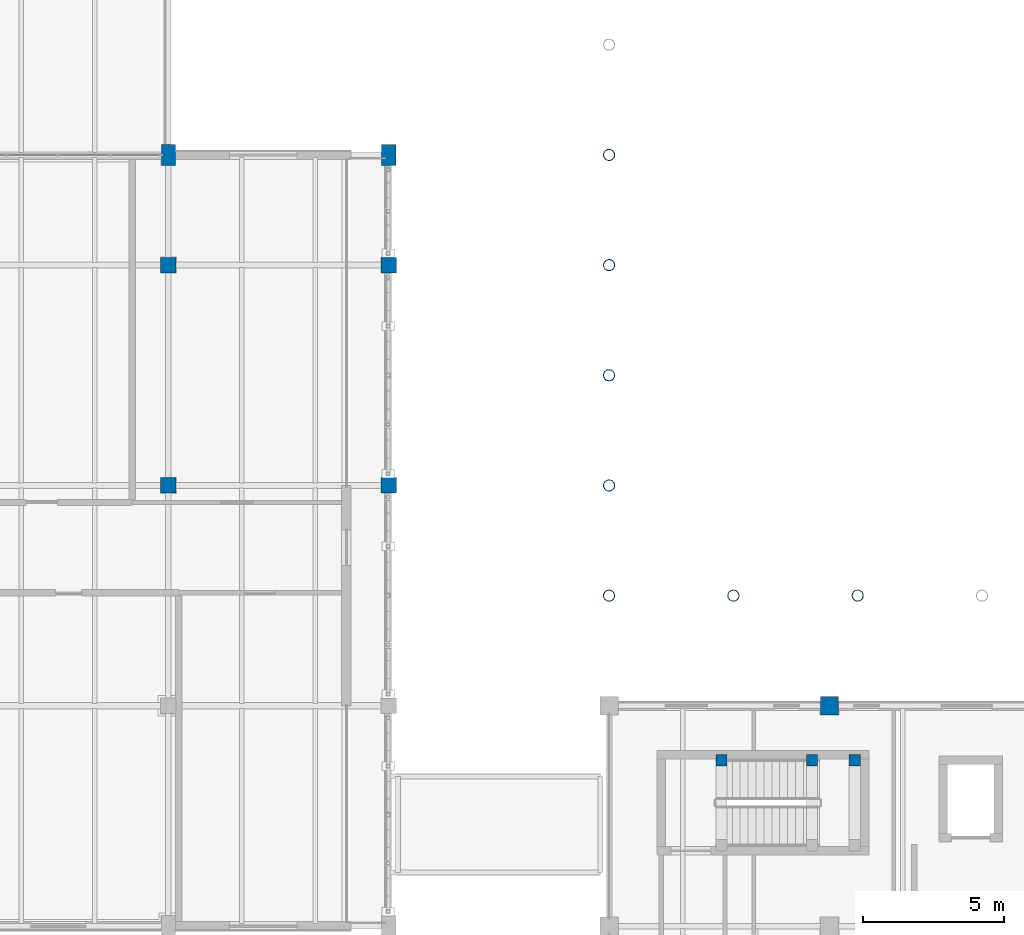
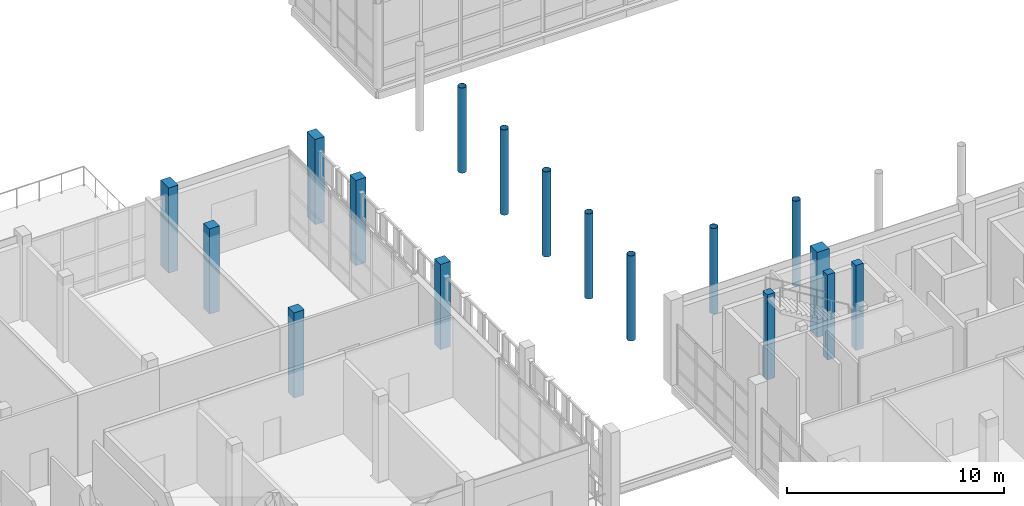
# One storey, part 6 of 138: 17 columns.
"""IFC4 building model written with IfcOpenShell, lengths in metres."""

import ifcopenshell
import ifcopenshell.guid

model = None  # the IFC model being written
_history = None  # IfcOwnerHistory: only IFC2X3 demands one
_inside = {}  # id of a spatial element -> (the spatial element, [elements in it])
_under = {}  # id of a project, library or spatial element -> (it, [spatial elements below it])
_declared = {}  # id of a project -> (the project, [libraries it declares])
_typed = {}  # id of a type object -> (the type object, [elements of that type])
_made_of = {}  # id of a material, layer set ... -> (it, [elements and type objects made of it])


def new_model(schema):
    """Start an empty IFC model of exactly this schema.

    Asked for "IFC4X3", IfcOpenShell would pick the latest addendum, in which some entities
    have other attributes; the version numbers below select the first issue.
    IFC2X3 requires an IfcOwnerHistory on every rooted entity: one is made here for all.
    """
    global model, _history
    if schema == "IFC4X3":
        model = ifcopenshell.file(schema_version=(4, 3, 0, 0))
    else:
        model = ifcopenshell.file(schema=schema)
    _inside.clear()
    _under.clear()
    _declared.clear()
    _typed.clear()
    _made_of.clear()
    _history = None
    if model.schema == "IFC2X3":
        org = make("IfcOrganization", Name="unknown")
        user = make(
            "IfcPersonAndOrganization",
            ThePerson=make("IfcPerson", FamilyName="unknown"),
            TheOrganization=org,
        )
        app = make(
            "IfcApplication",
            ApplicationDeveloper=org,
            Version="unknown",
            ApplicationFullName="unknown",
            ApplicationIdentifier="unknown",
        )
        _history = make(
            "IfcOwnerHistory",
            OwningUser=user,
            OwningApplication=app,
            ChangeAction="ADDED",
            CreationDate=0,
        )
    return model


def make(cls, **values):
    """One entity of the class cls with the attributes given. An attribute that is None is left unset."""
    return model.create_entity(
        cls, **{name: value for name, value in values.items() if value is not None}
    )


def rooted(cls, **values):
    """An entity with a GlobalId (a new one), such as an element, a storey or a relation."""
    return make(cls, GlobalId=ifcopenshell.guid.new(), OwnerHistory=_history, **values)


def si_unit(unit_type, name, prefix=None):
    """IfcSIUnit, for example si_unit("LENGTHUNIT", "METRE", prefix="MILLI")."""
    return make("IfcSIUnit", UnitType=unit_type, Prefix=prefix, Name=name)


def assignment(units):
    """IfcUnitAssignment: the units of a project."""
    return None if units is None else make("IfcUnitAssignment", Units=units)


def point(xyz):
    """IfcCartesianPoint."""
    return None if xyz is None else make("IfcCartesianPoint", Coordinates=xyz)


def direction(xyz):
    """IfcDirection."""
    return None if xyz is None else make("IfcDirection", DirectionRatios=xyz)


def frame(location, z_axis=None, x_axis=None):
    """IfcAxis2Placement3D, a coordinate frame: its origin and axes. An axis left out is left unset."""
    return make(
        "IfcAxis2Placement3D",
        Location=point(location),
        Axis=direction(z_axis),
        RefDirection=direction(x_axis),
    )


def frame_2d(location, x_axis=None):
    """IfcAxis2Placement2D, a coordinate frame in the plane: its origin and x axis."""
    return make(
        "IfcAxis2Placement2D", Location=point(location), RefDirection=direction(x_axis)
    )


def origin():
    """The frame at (0, 0, 0) with its axes left unset."""
    return frame((0.0, 0.0, 0.0))


def origin_2d():
    """The frame at (0, 0) in the plane with its x axis left unset."""
    return frame_2d((0.0, 0.0))


def place(relative_to, where):
    """IfcLocalPlacement: puts the frame where relative to a parent placement (None: the world)."""
    return make(
        "IfcLocalPlacement", PlacementRelTo=relative_to, RelativePlacement=where
    )


def context(
    kind, dimensions, precision=None, world=None, true_north=None, identifier=None
):
    """IfcGeometricRepresentationContext, for example the 3D "Model" context."""
    return make(
        "IfcGeometricRepresentationContext",
        ContextIdentifier=identifier,
        ContextType=kind,
        CoordinateSpaceDimension=dimensions,
        Precision=precision,
        WorldCoordinateSystem=world,
        TrueNorth=true_north,
    )


def subcontext(parent, identifier, kind, view, scale=None):
    """IfcGeometricRepresentationSubContext, for example "Body" below "Model"."""
    return make(
        "IfcGeometricRepresentationSubContext",
        ContextIdentifier=identifier,
        ContextType=kind,
        ParentContext=parent,
        TargetScale=scale,
        TargetView=view,
    )


def project(units=None, contexts=None):
    """IfcProject with its units and contexts."""
    return rooted(
        "IfcProject",
        Name="project",
        RepresentationContexts=contexts,
        UnitsInContext=assignment(units),
    )


def spatial(cls, under=None, at=None, **own):
    """A site, building, storey or space (cls), placed at a placement, below another one or the project."""
    s = rooted(cls, ObjectPlacement=at, **own)
    if under is not None:
        _under.setdefault(under.id(), (under, []))[1].append(s)
    return s


def profile(cls, at=None, kind="AREA", **sizes):
    """A parametric profile (cls). Its sizes go by their IFC names, for example OverallWidth=200.0."""
    return make(cls, ProfileType=kind, Position=at, **sizes)


def rectangle(**sizes):
    """IfcRectangleProfileDef."""
    return profile("IfcRectangleProfileDef", **sizes)


def hollow_circle(**sizes):
    """IfcCircleHollowProfileDef."""
    return profile("IfcCircleHollowProfileDef", **sizes)


def extrude(swept, where, along, depth):
    """IfcExtrudedAreaSolid: the profile swept, set in the frame where, extruded along a direction by depth."""
    return make(
        "IfcExtrudedAreaSolid",
        SweptArea=swept,
        Position=where,
        ExtrudedDirection=direction(along),
        Depth=depth,
    )


def shape(context_of_items, identifier, shape_type, items):
    """IfcShapeRepresentation: the items that make up one representation, for example the "Body"."""
    return make(
        "IfcShapeRepresentation",
        ContextOfItems=context_of_items,
        RepresentationIdentifier=identifier,
        RepresentationType=shape_type,
        Items=items,
    )


def material(Name=None, Category=None):
    """IfcMaterial."""
    return make("IfcMaterial", Name=Name, Category=Category)


def material_profile(
    of_material, cross_section, Name=None, Category=None, Priority=None
):
    """IfcMaterialProfile: a cross section and its material."""
    return make(
        "IfcMaterialProfile",
        Name=Name,
        Material=of_material,
        Profile=cross_section,
        Priority=Priority,
        Category=Category,
    )


def profile_set(profiles, Name=None, composite=None):
    """IfcMaterialProfileSet."""
    return make(
        "IfcMaterialProfileSet",
        Name=Name,
        MaterialProfiles=profiles,
        CompositeProfile=composite,
    )


def made_of(thing, what):
    """Note that an element or type object is made of a material, layer set ...; save() writes the relation."""
    if what is not None:
        _made_of.setdefault(what.id(), (what, []))[1].append(thing)
    return thing


def type_object(cls, material=None, **own):
    """A type object (cls), such as IfcWallType, which elements share."""
    return made_of(rooted(cls, **own), material)


def element(
    cls,
    number,
    at=None,
    inside=None,
    cuts=None,
    type_object=None,
    material=None,
    context=None,
    identifier="Body",
    shape_type=None,
    held_by="IfcProductDefinitionShape",
    body=None,
    shapes=None,
    **own,
):
    """One element of the class cls, such as IfcWall. Its Tag is "e" and its number.

    at: its placement. inside: the storey or other place that contains it. cuts: it is an
    opening in that element (IfcRelVoidsElement). A single representation is given by context,
    identifier, shape_type and body (its items); several are given by shapes. held_by: the class
    of the entity that holds the representations. save() writes the other relations.
    """
    e = rooted(cls, Tag="e%d" % number, ObjectPlacement=at, **own)
    if body is not None:
        shapes = [shape(context, identifier, shape_type, body)]
    if shapes is not None:
        e.Representation = make(held_by, Representations=shapes)
    if inside is not None:
        _inside.setdefault(inside.id(), (inside, []))[1].append(e)
    if cuts is not None:
        rooted(
            "IfcRelVoidsElement", RelatingBuildingElement=cuts, RelatedOpeningElement=e
        )
    if type_object is not None:
        _typed.setdefault(type_object.id(), (type_object, []))[1].append(e)
    return made_of(e, material)


def aggregate(whole, parts):
    """IfcRelAggregates: a whole, such as a stair, and the parts it consists of."""
    return rooted("IfcRelAggregates", RelatingObject=whole, RelatedObjects=parts)


def save(model, path):
    """Write the relations noted so far, then the file.

    IfcRelAggregates (storeys below a building ...), IfcRelContainedInSpatialStructure (elements
    in a storey), IfcRelDefinesByType, IfcRelAssociatesMaterial and IfcRelDeclares: one each for
    every whole, place, type object, material and project.
    """
    for whole, parts in _under.values():
        aggregate(whole, parts)
    for where, things in _inside.values():
        rooted(
            "IfcRelContainedInSpatialStructure",
            RelatedElements=things,
            RelatingStructure=where,
        )
    for kind, things in _typed.values():
        rooted("IfcRelDefinesByType", RelatedObjects=things, RelatingType=kind)
    for what, things in _made_of.values():
        rooted("IfcRelAssociatesMaterial", RelatedObjects=things, RelatingMaterial=what)
    for by, libraries in _declared.values():
        rooted("IfcRelDeclares", RelatingContext=by, RelatedDefinitions=libraries)
    model.write(path)


model = new_model("IFC4")

# Units and contexts
model_context = context("Model", 3, precision=1e-05, world=origin(), true_north=direction((0.0, 1.0)))
body_context = subcontext(model_context, "Body", "Model", "MODEL_VIEW")
ifc_project = project(units=[si_unit("LENGTHUNIT", "METRE"), si_unit("AREAUNIT", "SQUARE_METRE"), si_unit("VOLUMEUNIT", "CUBIC_METRE"), si_unit("PLANEANGLEUNIT", "RADIAN"), si_unit("MASSUNIT", "GRAM", prefix="KILO")], contexts=[model_context])

# Site, building, storey
site_placement = place(None, origin())
site = spatial("IfcSite", under=ifc_project, at=site_placement, CompositionType="ELEMENT")
building_placement = place(site_placement, origin())
building = spatial("IfcBuilding", under=site, at=building_placement, Name="Celorna Specialist Clinic", CompositionType="ELEMENT")
storey_placement = place(building_placement, frame((0.0, 0.0, 4.800048828125)))
storey = spatial("IfcBuildingStorey", under=building, at=storey_placement, Name="L01", CompositionType="ELEMENT", Elevation=4.800048828125)

# Columns
ifc_material_1 = material(Name="Concrete C40/50", Category="concrete")
ifc_material_profile_1 = material_profile(ifc_material_1, rectangle(XDim=0.64990234375, YDim=0.64990234375, at=origin_2d()), Name="RC 650x650")
ifc_profile_set_1 = profile_set([ifc_material_profile_1], Name="Concrete C40/50")
column_type_1 = type_object("IfcColumnType", Name="CT-03", PredefinedType="COLUMN", material=ifc_profile_set_1)
column_placement = place(storey_placement, frame((62.39990234375, 42.89990234375, 0.0), z_axis=(0.0, 0.0, 1.0), x_axis=(1.0, 0.0, 0.0)))
element("IfcColumn", 1, at=column_placement, inside=storey, type_object=column_type_1, Name="Column CT-03 L01 X09/YH", PredefinedType="COLUMN", context=body_context, shape_type="SweptSolid", body=[
    extrude(rectangle(XDim=0.64990234375, YDim=0.64990234375, at=origin_2d()), origin(), (0.0, 0.0, 1.0), 4.800048828125),
])
ifc_material_2 = material(Name="Concrete C35/45", Category="concrete")
ifc_material_profile_2 = material_profile(ifc_material_2, rectangle(XDim=0.550048828125, YDim=0.550048828125, at=origin_2d()), Name="RC 550x550")
ifc_profile_set_2 = profile_set([ifc_material_profile_2], Name="Concrete C35/45")
column_type_2 = type_object("IfcColumnType", Name="CT-05", PredefinedType="COLUMN", material=ifc_profile_set_2)
for number, where, z_axis, x_axis, name in (
    (2, (39.0, 50.699951171875, 0.0), (0.0, 0.0, 1.0), (1.0, 0.0, 0.0), "Column CT-05 L01 X06/YK"),
    (3, (39.0, 58.5, 0.0), (0.0, 0.0, 1.0), (1.0, 0.0, 0.0), "Column CT-05 L01 X06/YL"),
    (4, (46.800048828125, 50.699951171875, 0.0), (0.0, 0.0, 1.0), (1.0, 0.0, 0.0), "Column CT-05 L01 X07/YK"),
    (5, (46.800048828125, 58.5, 0.0), (0.0, 0.0, 1.0), (1.0, 0.0, 0.0), "Column CT-05 L01 X07/YL"),
):
    element("IfcColumn", number, at=place(storey_placement, frame(where, z_axis=z_axis, x_axis=x_axis)), inside=storey, type_object=column_type_2, Name=name, PredefinedType="COLUMN", context=body_context, shape_type="SweptSolid", body=[
        extrude(rectangle(XDim=0.550048828125, YDim=0.550048828125, at=origin_2d()), origin(), (0.0, 0.0, 1.0), 4.800048828125),
    ])
ifc_material_profile_3 = material_profile(ifc_material_2, rectangle(XDim=0.39990234375, YDim=0.39990234375, at=origin_2d()), Name="RC 400x400")
ifc_profile_set_3 = profile_set([ifc_material_profile_3], Name="Concrete C35/45")
column_type_3 = type_object("IfcColumnType", Name="CT-08", PredefinedType="COLUMN", material=ifc_profile_set_3)
for number, where, z_axis, x_axis, name in (
    (6, (58.580078125, 40.969970703125, 0.0), (0.0, 0.0, 1.0), (1.0, 0.0, 0.0), "Stair ST-08 landing column CT-08 L01 X09/YH"),
    (7, (61.780029296875, 40.969970703125, 0.0), (0.0, 0.0, 1.0), (1.0, 0.0, 0.0), "Stair ST-08 landing column CT-08 L01 X09/YH"),
    (8, (63.300048828125, 40.969970703125, 0.0), (0.0, 0.0, 1.0), (1.0, 0.0, 0.0), "Stair ST-08 landing column CT-08 L01 X09/YH"),
):
    element("IfcColumn", number, at=place(storey_placement, frame(where, z_axis=z_axis, x_axis=x_axis)), inside=storey, type_object=column_type_3, Name=name, PredefinedType="COLUMN", context=body_context, shape_type="SweptSolid", body=[
        extrude(rectangle(XDim=0.39990234375, YDim=0.39990234375, at=origin_2d()), origin(), (0.0, 0.0, 1.0), 4.800048828125),
    ])
ifc_material_profile_4 = material_profile(ifc_material_1, rectangle(XDim=0.5, YDim=0.75, at=origin_2d()), Name="RC 500x750")
ifc_profile_set_4 = profile_set([ifc_material_profile_4], Name="Concrete C40/50")
column_type_4 = type_object("IfcColumnType", Name="CT-09", PredefinedType="COLUMN", material=ifc_profile_set_4)
for number, where, z_axis, x_axis, name in (
    (9, (39.0, 62.39990234375, 0.0), (0.0, 0.0, 1.0), (1.0, 0.0, 0.0), "Column CT-09 L01 X06/YM"),
    (10, (46.800048828125, 62.39990234375, 0.0), (0.0, 0.0, 1.0), (1.0, 0.0, 0.0), "Column CT-09 L01 X07/YM"),
):
    element("IfcColumn", number, at=place(storey_placement, frame(where, z_axis=z_axis, x_axis=x_axis)), inside=storey, type_object=column_type_4, Name=name, PredefinedType="COLUMN", context=body_context, shape_type="SweptSolid", body=[
        extrude(rectangle(XDim=0.5, YDim=0.75, at=origin_2d()), origin(), (0.0, 0.0, 1.0), 4.800048828125),
    ])
ifc_material_3 = material(Name="Steel S355", Category="steel")
ifc_material_profile_5 = material_profile(ifc_material_3, hollow_circle(Radius=0.203125, WallThickness=0.01611328125, at=origin_2d()), Name="CHS 406.4x16")
ifc_profile_set_5 = profile_set([ifc_material_profile_5], Name="Steel S355")
column_type_5 = type_object("IfcColumnType", Name="CT-12", PredefinedType="COLUMN", material=ifc_profile_set_5)
for number, where, z_axis, x_axis, name in (
    (11, (54.60009765625, 46.800048828125, 0.0), (0.0, 0.0, 1.0), (1.0, 0.0, 0.0), "Column CT-12 L01 X08/YJ"),
    (12, (59.0, 46.800048828125, 0.0), (0.0, 0.0, 1.0), (1.0, 0.0, 0.0), "Column CT-12 L01 X09/YJ"),
    (13, (63.39990234375, 46.800048828125, 0.0), (0.0, 0.0, 1.0), (1.0, 0.0, 0.0), "Column CT-12 L01 X09/YJ"),
    (14, (54.60009765625, 50.699951171875, 0.0), (0.0, 0.0, 1.0), (1.0, 0.0, 0.0), "Column CT-12 L01 X08/YK"),
    (15, (54.60009765625, 54.60009765625, 0.0), (0.0, 0.0, 1.0), (1.0, 0.0, 0.0), "Column CT-12 L01 X08/YK"),
    (16, (54.60009765625, 58.5, 0.0), (0.0, 0.0, 1.0), (1.0, 0.0, 0.0), "Column CT-12 L01 X08/YL"),
    (17, (54.60009765625, 62.39990234375, 0.0), (0.0, 0.0, 1.0), (1.0, 0.0, 0.0), "Column CT-12 L01 X08/YM"),
):
    element("IfcColumn", number, at=place(storey_placement, frame(where, z_axis=z_axis, x_axis=x_axis)), inside=storey, type_object=column_type_5, Name=name, PredefinedType="COLUMN", context=body_context, shape_type="SweptSolid", body=[
        extrude(hollow_circle(Radius=0.203125, WallThickness=0.01611328125, at=origin_2d()), origin(), (0.0, 0.0, 1.0), 4.800048828125),
    ])

save(model, "model.ifc")
